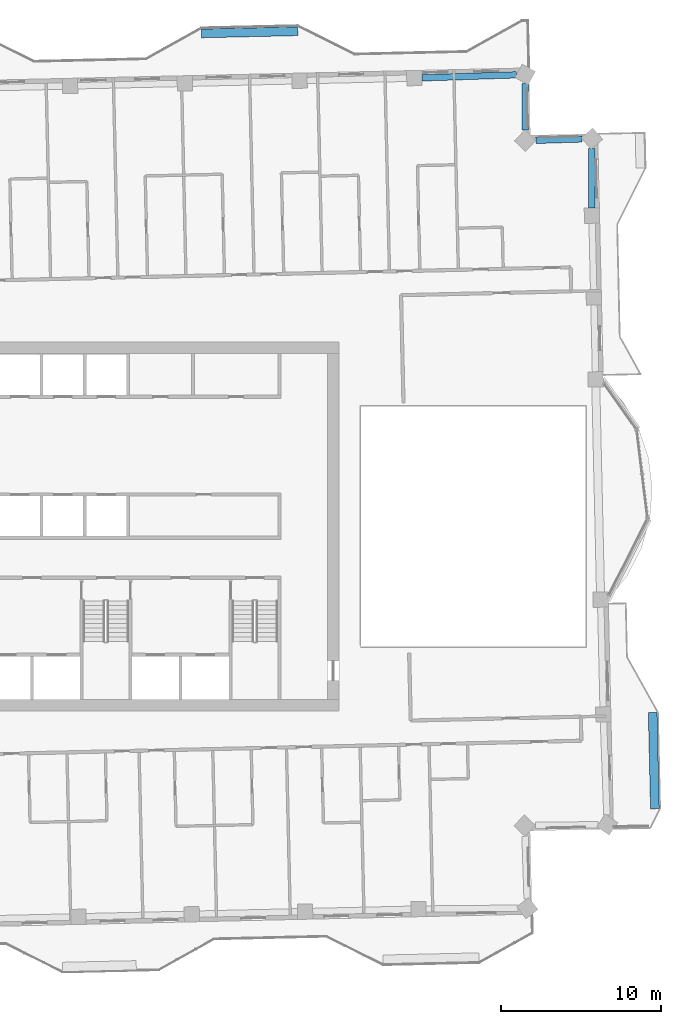
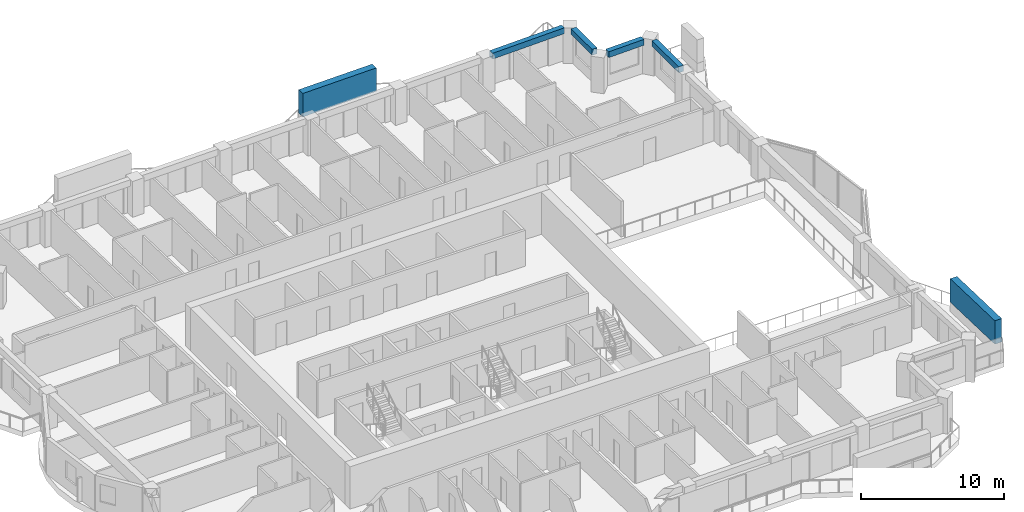
# One storey, part 5 of 19: 4 beams, 2 members.
"""IFC4 building model written with IfcOpenShell, lengths in metres."""

import ifcopenshell
import ifcopenshell.guid

model = None  # the IFC model being written
_history = None  # IfcOwnerHistory: only IFC2X3 demands one
_inside = {}  # id of a spatial element -> (the spatial element, [elements in it])
_under = {}  # id of a project, library or spatial element -> (it, [spatial elements below it])
_declared = {}  # id of a project -> (the project, [libraries it declares])
_typed = {}  # id of a type object -> (the type object, [elements of that type])
_made_of = {}  # id of a material, layer set ... -> (it, [elements and type objects made of it])


def new_model(schema):
    """Start an empty IFC model of exactly this schema.

    Asked for "IFC4X3", IfcOpenShell would pick the latest addendum, in which some entities
    have other attributes; the version numbers below select the first issue.
    IFC2X3 requires an IfcOwnerHistory on every rooted entity: one is made here for all.
    """
    global model, _history
    if schema == "IFC4X3":
        model = ifcopenshell.file(schema_version=(4, 3, 0, 0))
    else:
        model = ifcopenshell.file(schema=schema)
    _inside.clear()
    _under.clear()
    _declared.clear()
    _typed.clear()
    _made_of.clear()
    _history = None
    if model.schema == "IFC2X3":
        org = make("IfcOrganization", Name="unknown")
        user = make(
            "IfcPersonAndOrganization",
            ThePerson=make("IfcPerson", FamilyName="unknown"),
            TheOrganization=org,
        )
        app = make(
            "IfcApplication",
            ApplicationDeveloper=org,
            Version="unknown",
            ApplicationFullName="unknown",
            ApplicationIdentifier="unknown",
        )
        _history = make(
            "IfcOwnerHistory",
            OwningUser=user,
            OwningApplication=app,
            ChangeAction="ADDED",
            CreationDate=0,
        )
    return model


def make(cls, **values):
    """One entity of the class cls with the attributes given. An attribute that is None is left unset."""
    return model.create_entity(
        cls, **{name: value for name, value in values.items() if value is not None}
    )


def rooted(cls, **values):
    """An entity with a GlobalId (a new one), such as an element, a storey or a relation."""
    return make(cls, GlobalId=ifcopenshell.guid.new(), OwnerHistory=_history, **values)


def si_unit(unit_type, name, prefix=None):
    """IfcSIUnit, for example si_unit("LENGTHUNIT", "METRE", prefix="MILLI")."""
    return make("IfcSIUnit", UnitType=unit_type, Prefix=prefix, Name=name)


def assignment(units):
    """IfcUnitAssignment: the units of a project."""
    return None if units is None else make("IfcUnitAssignment", Units=units)


def point(xyz):
    """IfcCartesianPoint."""
    return None if xyz is None else make("IfcCartesianPoint", Coordinates=xyz)


def direction(xyz):
    """IfcDirection."""
    return None if xyz is None else make("IfcDirection", DirectionRatios=xyz)


def frame(location, z_axis=None, x_axis=None):
    """IfcAxis2Placement3D, a coordinate frame: its origin and axes. An axis left out is left unset."""
    return make(
        "IfcAxis2Placement3D",
        Location=point(location),
        Axis=direction(z_axis),
        RefDirection=direction(x_axis),
    )


def frame_2d(location, x_axis=None):
    """IfcAxis2Placement2D, a coordinate frame in the plane: its origin and x axis."""
    return make(
        "IfcAxis2Placement2D", Location=point(location), RefDirection=direction(x_axis)
    )


def origin():
    """The frame at (0, 0, 0) with its axes left unset."""
    return frame((0.0, 0.0, 0.0))


def origin_2d():
    """The frame at (0, 0) in the plane with its x axis left unset."""
    return frame_2d((0.0, 0.0))


def place(relative_to, where):
    """IfcLocalPlacement: puts the frame where relative to a parent placement (None: the world)."""
    return make(
        "IfcLocalPlacement", PlacementRelTo=relative_to, RelativePlacement=where
    )


def context(
    kind, dimensions, precision=None, world=None, true_north=None, identifier=None
):
    """IfcGeometricRepresentationContext, for example the 3D "Model" context."""
    return make(
        "IfcGeometricRepresentationContext",
        ContextIdentifier=identifier,
        ContextType=kind,
        CoordinateSpaceDimension=dimensions,
        Precision=precision,
        WorldCoordinateSystem=world,
        TrueNorth=true_north,
    )


def subcontext(parent, identifier, kind, view, scale=None):
    """IfcGeometricRepresentationSubContext, for example "Body" below "Model"."""
    return make(
        "IfcGeometricRepresentationSubContext",
        ContextIdentifier=identifier,
        ContextType=kind,
        ParentContext=parent,
        TargetScale=scale,
        TargetView=view,
    )


def project(units=None, contexts=None):
    """IfcProject with its units and contexts."""
    return rooted(
        "IfcProject",
        Name="project",
        RepresentationContexts=contexts,
        UnitsInContext=assignment(units),
    )


def spatial(cls, under=None, at=None, **own):
    """A site, building, storey or space (cls), placed at a placement, below another one or the project."""
    s = rooted(cls, ObjectPlacement=at, **own)
    if under is not None:
        _under.setdefault(under.id(), (under, []))[1].append(s)
    return s


def profile(cls, at=None, kind="AREA", **sizes):
    """A parametric profile (cls). Its sizes go by their IFC names, for example OverallWidth=200.0."""
    return make(cls, ProfileType=kind, Position=at, **sizes)


def rectangle(**sizes):
    """IfcRectangleProfileDef."""
    return profile("IfcRectangleProfileDef", **sizes)


def extrude(swept, where, along, depth):
    """IfcExtrudedAreaSolid: the profile swept, set in the frame where, extruded along a direction by depth."""
    return make(
        "IfcExtrudedAreaSolid",
        SweptArea=swept,
        Position=where,
        ExtrudedDirection=direction(along),
        Depth=depth,
    )


def shape(context_of_items, identifier, shape_type, items):
    """IfcShapeRepresentation: the items that make up one representation, for example the "Body"."""
    return make(
        "IfcShapeRepresentation",
        ContextOfItems=context_of_items,
        RepresentationIdentifier=identifier,
        RepresentationType=shape_type,
        Items=items,
    )


def material(Name=None, Category=None):
    """IfcMaterial."""
    return make("IfcMaterial", Name=Name, Category=Category)


def material_profile(
    of_material, cross_section, Name=None, Category=None, Priority=None
):
    """IfcMaterialProfile: a cross section and its material."""
    return make(
        "IfcMaterialProfile",
        Name=Name,
        Material=of_material,
        Profile=cross_section,
        Priority=Priority,
        Category=Category,
    )


def profile_set(profiles, Name=None, composite=None):
    """IfcMaterialProfileSet."""
    return make(
        "IfcMaterialProfileSet",
        Name=Name,
        MaterialProfiles=profiles,
        CompositeProfile=composite,
    )


def made_of(thing, what):
    """Note that an element or type object is made of a material, layer set ...; save() writes the relation."""
    if what is not None:
        _made_of.setdefault(what.id(), (what, []))[1].append(thing)
    return thing


def type_object(cls, material=None, **own):
    """A type object (cls), such as IfcWallType, which elements share."""
    return made_of(rooted(cls, **own), material)


def element(
    cls,
    number,
    at=None,
    inside=None,
    cuts=None,
    type_object=None,
    material=None,
    context=None,
    identifier="Body",
    shape_type=None,
    held_by="IfcProductDefinitionShape",
    body=None,
    shapes=None,
    **own,
):
    """One element of the class cls, such as IfcWall. Its Tag is "e" and its number.

    at: its placement. inside: the storey or other place that contains it. cuts: it is an
    opening in that element (IfcRelVoidsElement). A single representation is given by context,
    identifier, shape_type and body (its items); several are given by shapes. held_by: the class
    of the entity that holds the representations. save() writes the other relations.
    """
    e = rooted(cls, Tag="e%d" % number, ObjectPlacement=at, **own)
    if body is not None:
        shapes = [shape(context, identifier, shape_type, body)]
    if shapes is not None:
        e.Representation = make(held_by, Representations=shapes)
    if inside is not None:
        _inside.setdefault(inside.id(), (inside, []))[1].append(e)
    if cuts is not None:
        rooted(
            "IfcRelVoidsElement", RelatingBuildingElement=cuts, RelatedOpeningElement=e
        )
    if type_object is not None:
        _typed.setdefault(type_object.id(), (type_object, []))[1].append(e)
    return made_of(e, material)


def aggregate(whole, parts):
    """IfcRelAggregates: a whole, such as a stair, and the parts it consists of."""
    return rooted("IfcRelAggregates", RelatingObject=whole, RelatedObjects=parts)


def save(model, path):
    """Write the relations noted so far, then the file.

    IfcRelAggregates (storeys below a building ...), IfcRelContainedInSpatialStructure (elements
    in a storey), IfcRelDefinesByType, IfcRelAssociatesMaterial and IfcRelDeclares: one each for
    every whole, place, type object, material and project.
    """
    for whole, parts in _under.values():
        aggregate(whole, parts)
    for where, things in _inside.values():
        rooted(
            "IfcRelContainedInSpatialStructure",
            RelatedElements=things,
            RelatingStructure=where,
        )
    for kind, things in _typed.values():
        rooted("IfcRelDefinesByType", RelatedObjects=things, RelatingType=kind)
    for what, things in _made_of.values():
        rooted("IfcRelAssociatesMaterial", RelatedObjects=things, RelatingMaterial=what)
    for by, libraries in _declared.values():
        rooted("IfcRelDeclares", RelatingContext=by, RelatedDefinitions=libraries)
    model.write(path)


model = new_model("IFC4")

# Units and contexts
model_context = context("Model", 3, precision=1e-05, world=origin(), true_north=direction((0.0, 1.0)))
body_context = subcontext(model_context, "Body", "Model", "MODEL_VIEW")
ifc_project = project(units=[si_unit("LENGTHUNIT", "METRE"), si_unit("AREAUNIT", "SQUARE_METRE"), si_unit("VOLUMEUNIT", "CUBIC_METRE"), si_unit("PLANEANGLEUNIT", "RADIAN"), si_unit("MASSUNIT", "GRAM", prefix="KILO")], contexts=[model_context])

# Site, building, storey
site_placement = place(None, origin())
site = spatial("IfcSite", under=ifc_project, at=site_placement, CompositionType="ELEMENT")
building_placement = place(site_placement, origin())
building = spatial("IfcBuilding", under=site, at=building_placement, Name="Mangrove Gate Tower", CompositionType="ELEMENT")
storey_placement = place(building_placement, frame((0.0, 0.0, 297.89990234375)))
storey = spatial("IfcBuildingStorey", under=building, at=storey_placement, Name="L76", CompositionType="ELEMENT", Elevation=297.89990234375)

# Members
ifc_material_1 = material(Name="Planting on aluminium trellis", Category="aluminium")
ifc_material_profile_1 = material_profile(ifc_material_1, rectangle(XDim=0.550048828125, YDim=2.0, at=origin_2d()))
ifc_profile_set_1 = profile_set([ifc_material_profile_1], Name="Planting on aluminium trellis")
member_type = type_object("IfcMemberType", Name="Balcony greenery screen 550x2000", PredefinedType="USERDEFINED", material=ifc_profile_set_1)
member_1_placement = place(storey_placement, frame((34.22802734375, -17.614013671875, 1.800048828125), z_axis=(-0.022665943652, 0.999743094499, 0.0), x_axis=(-0.999743094499, -0.022665943652, 0.0)))
element("IfcMember", 1, at=member_1_placement, inside=storey, type_object=member_type, Name="GREEN SCREEN L76 E0.1", ObjectType="PLANTING", PredefinedType="USERDEFINED", context=body_context, shape_type="SweptSolid", body=[
    extrude(rectangle(XDim=0.550048828125, YDim=2.0, at=origin_2d()), origin(), (0.0, 0.0, 1.0), 5.99951171875),
])
member_2_placement = place(storey_placement, frame((5.93994140625, 30.77099609375, 1.800048828125), z_axis=(0.999743178102, 0.022662255828, 0.0), x_axis=(-0.022662255828, 0.999743178102, 0.0)))
element("IfcMember", 2, at=member_2_placement, inside=storey, type_object=member_type, Name="GREEN SCREEN L76 N0.1", ObjectType="PLANTING", PredefinedType="USERDEFINED", context=body_context, shape_type="SweptSolid", body=[
    extrude(rectangle(XDim=0.550048828125, YDim=2.0, at=origin_2d()), origin(), (0.0, 0.0, 1.0), 6.00048828125),
])

# Beams
ifc_material_2 = material(Name="Concrete C50/60", Category="concrete")
ifc_material_profile_2 = material_profile(ifc_material_2, rectangle(XDim=0.39990234375, YDim=0.5, at=origin_2d()))
ifc_profile_set_2 = profile_set([ifc_material_profile_2], Name="Concrete C50/60")
beam_type = type_object("IfcBeamType", Name="Edge beam RC 400x500 C50/60", PredefinedType="BEAM", material=ifc_profile_set_2)
beam_1_placement = place(storey_placement, frame((30.298095703125, 19.872314453125, 2.800048828125), z_axis=(-0.000263504602, 0.999999965283, 0.0), x_axis=(-0.999999965283, -0.000263504602, 0.0)))
element("IfcBeam", 3, at=beam_1_placement, inside=storey, type_object=beam_type, Name="Edge beam L76 19", PredefinedType="BEAM", context=body_context, shape_type="SweptSolid", body=[
    extrude(rectangle(XDim=0.39990234375, YDim=0.5, at=origin_2d()), origin(), (0.0, 0.0, 1.0), 3.7060546875),
])
beam_2_placement = place(storey_placement, frame((29.6865234375, 24.186279296875, 2.800048828125), z_axis=(-0.99952516479, -0.030813064624, 0.0), x_axis=(0.030813064624, -0.99952516479, 0.0)))
element("IfcBeam", 4, at=beam_2_placement, inside=storey, type_object=beam_type, Name="Edge beam L76 20", PredefinedType="BEAM", context=body_context, shape_type="SweptSolid", body=[
    extrude(rectangle(XDim=0.39990234375, YDim=0.5, at=origin_2d()), origin(), (0.0, 0.0, 1.0), 2.89208984375),
])
beam_3_placement = place(storey_placement, frame((26.130126953125, 24.7333984375, 2.800048828125), z_axis=(0.00058381975, 0.999999829577, 0.0), x_axis=(-0.999999829577, 0.00058381975, 0.0)))
element("IfcBeam", 5, at=beam_3_placement, inside=storey, type_object=beam_type, Name="Edge beam L76 21", PredefinedType="BEAM", context=body_context, shape_type="SweptSolid", body=[
    extrude(rectangle(XDim=0.39990234375, YDim=0.5, at=origin_2d()), origin(), (0.0, 0.0, 1.0), 2.92724609375),
])
beam_4_placement = place(storey_placement, frame((25.57861328125, 28.18603515625, 2.800048828125), z_axis=(-0.999481964138, -0.032183899135, 0.0), x_axis=(0.032183899135, -0.999481964138, 0.0)))
element("IfcBeam", 6, at=beam_4_placement, inside=storey, type_object=beam_type, Name="Edge beam L76 22", PredefinedType="BEAM", context=body_context, shape_type="SweptSolid", body=[
    extrude(rectangle(XDim=0.39990234375, YDim=0.5, at=origin_2d()), origin(), (0.0, 0.0, 1.0), 5.894287109375),
])

save(model, "model.ifc")
